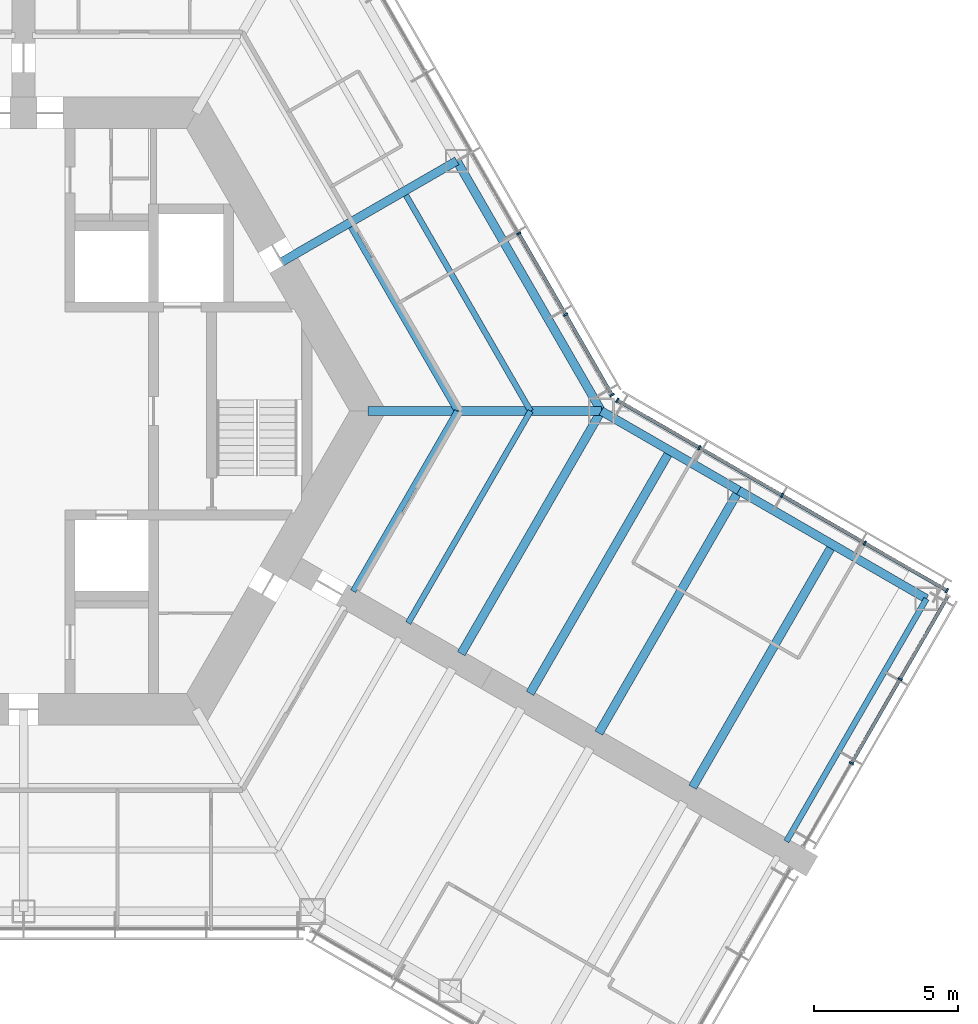
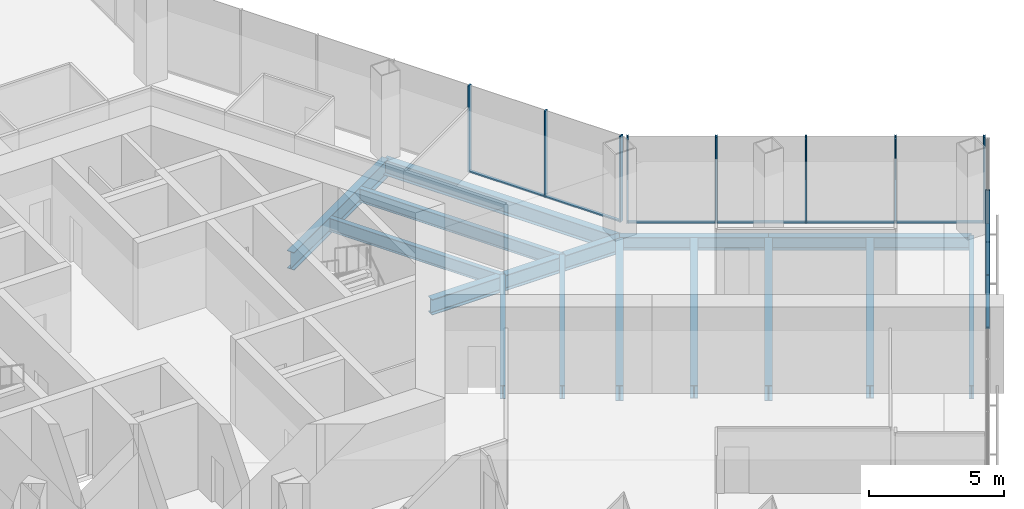
# One storey, part 6 of 18: 18 members, 14 beams, 3 elements without a shape of their own.
"""IFC4 building model written with IfcOpenShell, lengths in metres."""

from ifc_helpers import new_model, si_unit, direction, frame, origin, origin_2d, place, context, subcontext, project, spatial, rectangle, i_section, extrude, material, material_profile, profile_set, type_object, element, aggregate, save


model = new_model("IFC4")

# Units and contexts
model_context = context("Model", 3, precision=1e-05, world=origin(), true_north=direction((0.0, 1.0)))
body_context = subcontext(model_context, "Body", "Model", "MODEL_VIEW")
ifc_project = project(units=[si_unit("LENGTHUNIT", "METRE"), si_unit("AREAUNIT", "SQUARE_METRE"), si_unit("VOLUMEUNIT", "CUBIC_METRE"), si_unit("PLANEANGLEUNIT", "RADIAN"), si_unit("MASSUNIT", "GRAM", prefix="KILO")], contexts=[model_context])

# Site, building, storey
site_placement = place(None, origin())
site = spatial("IfcSite", under=ifc_project, at=site_placement, CompositionType="ELEMENT")
building_placement = place(site_placement, origin())
building = spatial("IfcBuilding", under=site, at=building_placement, Name="Kasaneha Research Tower", CompositionType="ELEMENT")
storey_placement = place(building_placement, frame((0.0, 0.0, 108.0)))
storey = spatial("IfcBuildingStorey", under=building, at=storey_placement, Name="L27", CompositionType="ELEMENT", Elevation=108.0)

# Beams
ifc_material_1 = material(Name="Steel SN490B", Category="steel")
ifc_material_profile_1 = material_profile(ifc_material_1, i_section(OverallWidth=0.199951171875, OverallDepth=0.60009765625, WebThickness=0.010986328125, FlangeThickness=0.01708984375, FilletRadius=0.012939453125, at=origin_2d()), Name="H-600x200x11x17")
ifc_profile_set_1 = profile_set([ifc_material_profile_1], Name="Steel SN490B")
beam_type_1 = type_object("IfcBeamType", Name="B1-3 secondary beam H-600x200x11x17", PredefinedType="JOIST", material=ifc_profile_set_1)
beam_1_placement = place(storey_placement, frame((15.010986328125, 0.0, -0.449951171875), z_axis=(-0.499994443168, 0.866028611999, 0.0), x_axis=(-0.866028611999, -0.499994443168, 0.0)))
element("IfcBeam", 1, at=beam_1_placement, inside=storey, type_object=beam_type_1, Name="Secondary beam RS030L1 L27", PredefinedType="JOIST", context=body_context, shape_type="SweptSolid", body=[
    extrude(i_section(OverallWidth=0.199951171875, OverallDepth=0.60009765625, WebThickness=0.010986328125, FlangeThickness=0.01708984375, FilletRadius=0.012939453125, at=origin_2d()), origin(), (0.0, 0.0, 1.0), 7.35546875),
])
beam_2_placement = place(storey_placement, frame((17.551513671875, 0.0, -0.449951171875), z_axis=(-0.5000050195, 0.866022505755, 0.0), x_axis=(-0.866022505755, -0.5000050195, 0.0)))
element("IfcBeam", 2, at=beam_2_placement, inside=storey, type_object=beam_type_1, Name="Secondary beam RS030L2 L27", PredefinedType="JOIST", context=body_context, shape_type="SweptSolid", body=[
    extrude(i_section(OverallWidth=0.199951171875, OverallDepth=0.60009765625, WebThickness=0.010986328125, FlangeThickness=0.01708984375, FilletRadius=0.012939453125, at=origin_2d()), origin(), (0.0, 0.0, 1.0), 8.6259765625),
])
beam_3_placement = place(storey_placement, frame((15.010986328125, 0.0, -0.449951171875), z_axis=(-0.499972735707, -0.866041144259, 0.0), x_axis=(0.866041144259, -0.499972735707, 0.0)))
element("IfcBeam", 3, at=beam_3_placement, inside=storey, type_object=beam_type_1, Name="Secondary beam RS330R1 L27", PredefinedType="JOIST", context=body_context, shape_type="SweptSolid", body=[
    extrude(i_section(OverallWidth=0.199951171875, OverallDepth=0.60009765625, WebThickness=0.010986328125, FlangeThickness=0.01708984375, FilletRadius=0.012939453125, at=origin_2d()), origin(), (0.0, 0.0, 1.0), 7.20556640625),
])
beam_4_placement = place(storey_placement, frame((17.551513671875, 0.0, -0.449951171875), z_axis=(-0.500020829043, -0.866013377797, 0.0), x_axis=(0.866013377797, -0.500020829043, 0.0)))
element("IfcBeam", 4, at=beam_4_placement, inside=storey, type_object=beam_type_1, Name="Secondary beam RS330R2 L27", PredefinedType="JOIST", context=body_context, shape_type="SweptSolid", body=[
    extrude(i_section(OverallWidth=0.199951171875, OverallDepth=0.60009765625, WebThickness=0.010986328125, FlangeThickness=0.01708984375, FilletRadius=0.012939453125, at=origin_2d()), origin(), (0.0, 0.0, 1.0), 8.475830078125),
])
ifc_material_2 = material(Name="Steel SN490B", Category="steel")
ifc_material_profile_2 = material_profile(ifc_material_2, i_section(OverallWidth=0.300048828125, OverallDepth=0.58203125, WebThickness=0.011962890625, FlangeThickness=0.01708984375, FilletRadius=0.012939453125, at=origin_2d()), Name="H-582x300x12x17")
ifc_profile_set_2 = profile_set([ifc_material_profile_2], Name="Steel SN490B")
beam_type_2 = type_object("IfcBeamType", Name="B2-3 secondary beam H-582x300x12x17", PredefinedType="JOIST", material=ifc_profile_set_2)
for number, where, z_axis, x_axis, name in (
    (5, (22.381591796875, -1.375, -0.44091796875), (-0.500010041276, -0.866019606374, 0.0), (0.866019606374, -0.500010041276, 0.0), "Secondary beam WBCN1 L27"),
    (6, (28.0107421875, -4.625, -0.44091796875), (-0.500010041276, -0.866019606374, 0.0), (0.866019606374, -0.500010041276, 0.0), "Secondary beam WBCN2 L27"),
):
    element("IfcBeam", number, at=place(storey_placement, frame(where, z_axis=z_axis, x_axis=x_axis)), inside=storey, type_object=beam_type_2, Name=name, PredefinedType="JOIST", context=body_context, shape_type="SweptSolid", body=[
        extrude(i_section(OverallWidth=0.300048828125, OverallDepth=0.58203125, WebThickness=0.011962890625, FlangeThickness=0.01708984375, FilletRadius=0.012939453125, at=origin_2d()), origin(), (0.0, 0.0, 1.0), 9.699951171875),
    ])

# Curtain wall, members
ifc_material_3 = material(Name="Glass and aluminium", Category="aluminium")
curtain_wall_type = type_object("IfcCurtainWallType", Name="Low-rise office curtain wall", PredefinedType="USERDEFINED", material=ifc_material_3)
curtain_wall_1_placement = place(storey_placement, origin())
curtain_wall_1 = element("IfcCurtainWall", 7, at=curtain_wall_1_placement, inside=storey, type_object=curtain_wall_type, Name="CW-O1 L27 run 05a", ObjectType="UNITISED CURTAIN WALL", PredefinedType="USERDEFINED")
ifc_material_4 = material(Name="Aluminium 6063-T6", Category="aluminium")
ifc_material_profile_3 = material_profile(ifc_material_4, rectangle(XDim=0.06005859375, YDim=0.159912109375, at=origin_2d()), Name="CW-O1 mullion 60x160")
ifc_profile_set_3 = profile_set([ifc_material_profile_3], Name="Aluminium 6063-T6")
member_type_1 = type_object("IfcMemberType", Name="CW-O1 mullion", PredefinedType="MULLION", material=ifc_profile_set_3)
member_1_placement = place(storey_placement, frame((28.661376953125, -12.1982421875, 0.0), z_axis=(0.0, 0.0, 1.0), x_axis=(0.500000011442, 0.866025397178, 0.0)))
member_1 = element("IfcMember", 8, at=member_1_placement, type_object=member_type_1, Name="CW-O1 mullion 2", PredefinedType="MULLION", context=body_context, shape_type="SweptSolid", body=[
    extrude(rectangle(XDim=0.06005859375, YDim=0.159912109375, at=origin_2d()), origin(), (0.0, 0.0, 1.0), 3.89990234375),
])
member_2_placement = place(storey_placement, frame((30.3447265625, -9.28271484375, 0.0), z_axis=(0.0, 0.0, 1.0), x_axis=(0.500000011442, 0.866025397178, 0.0)))
member_2 = element("IfcMember", 9, at=member_2_placement, type_object=member_type_1, Name="CW-O1 mullion 3", PredefinedType="MULLION", context=body_context, shape_type="SweptSolid", body=[
    extrude(rectangle(XDim=0.06005859375, YDim=0.159912109375, at=origin_2d()), origin(), (0.0, 0.0, 1.0), 3.89990234375),
])

curtain_wall_2_placement = place(storey_placement, origin())
curtain_wall_2 = element("IfcCurtainWall", 10, at=curtain_wall_2_placement, inside=storey, type_object=curtain_wall_type, Name="CW-O1 L27 run 06a", ObjectType="UNITISED CURTAIN WALL", PredefinedType="USERDEFINED")
member_3_placement = place(storey_placement, frame((31.96533203125, -6.21533203125, 0.0), z_axis=(0.0, 0.0, 1.0), x_axis=(-0.866025411464, 0.499999986699, 0.0)))
member_3 = element("IfcMember", 11, at=member_3_placement, type_object=member_type_1, Name="CW-O1 mullion 1", PredefinedType="MULLION", context=body_context, shape_type="SweptSolid", body=[
    extrude(rectangle(XDim=0.06005859375, YDim=0.159912109375, at=origin_2d()), origin(), (0.0, 0.0, 1.0), 3.89990234375),
])
member_4_placement = place(storey_placement, frame((29.125, -4.575439453125, 0.0), z_axis=(0.0, 0.0, 1.0), x_axis=(-0.866025411464, 0.499999986699, 0.0)))
member_4 = element("IfcMember", 12, at=member_4_placement, type_object=member_type_1, Name="CW-O1 mullion 2", PredefinedType="MULLION", context=body_context, shape_type="SweptSolid", body=[
    extrude(rectangle(XDim=0.06005859375, YDim=0.159912109375, at=origin_2d()), origin(), (0.0, 0.0, 1.0), 3.89990234375),
])
member_5_placement = place(storey_placement, frame((26.258544921875, -2.920654296875, 0.0), z_axis=(0.0, 0.0, 1.0), x_axis=(-0.866025411464, 0.499999986699, 0.0)))
member_5 = element("IfcMember", 13, at=member_5_placement, type_object=member_type_1, Name="CW-O1 mullion 3", PredefinedType="MULLION", context=body_context, shape_type="SweptSolid", body=[
    extrude(rectangle(XDim=0.06005859375, YDim=0.159912109375, at=origin_2d()), origin(), (0.0, 0.0, 1.0), 3.89990234375),
])
member_6_placement = place(storey_placement, frame((23.39208984375, -1.265625, 0.0), z_axis=(0.0, 0.0, 1.0), x_axis=(-0.866025411464, 0.499999986699, 0.0)))
member_6 = element("IfcMember", 14, at=member_6_placement, type_object=member_type_1, Name="CW-O1 mullion 4", PredefinedType="MULLION", context=body_context, shape_type="SweptSolid", body=[
    extrude(rectangle(XDim=0.06005859375, YDim=0.159912109375, at=origin_2d()), origin(), (0.0, 0.0, 1.0), 3.89990234375),
])
member_7_placement = place(storey_placement, frame((20.5517578125, 0.374267578125, 0.0), z_axis=(0.0, 0.0, 1.0), x_axis=(-0.866025411464, 0.499999986699, 0.0)))
member_7 = element("IfcMember", 15, at=member_7_placement, type_object=member_type_1, Name="CW-O1 mullion 5", PredefinedType="MULLION", context=body_context, shape_type="SweptSolid", body=[
    extrude(rectangle(XDim=0.06005859375, YDim=0.159912109375, at=origin_2d()), origin(), (0.0, 0.0, 1.0), 3.89990234375),
])

curtain_wall_3_placement = place(storey_placement, origin())
curtain_wall_3 = element("IfcCurtainWall", 16, at=curtain_wall_3_placement, inside=storey, type_object=curtain_wall_type, Name="CW-O1 L27 run 07a", ObjectType="UNITISED CURTAIN WALL", PredefinedType="USERDEFINED")
member_8_placement = place(storey_placement, frame((20.374267578125, 0.5517578125, 0.0), z_axis=(0.0, 0.0, 1.0), x_axis=(-0.49999996188, 0.866025425793, 0.0)))
member_8 = element("IfcMember", 17, at=member_8_placement, type_object=member_type_1, Name="CW-O1 mullion 1", PredefinedType="MULLION", context=body_context, shape_type="SweptSolid", body=[
    extrude(rectangle(XDim=0.06005859375, YDim=0.159912109375, at=origin_2d()), origin(), (0.0, 0.0, 1.0), 3.89990234375),
])
member_9_placement = place(storey_placement, frame((18.76611328125, 3.33740234375, 0.0), z_axis=(0.0, 0.0, 1.0), x_axis=(-0.49999996188, 0.866025425793, 0.0)))
member_9 = element("IfcMember", 18, at=member_9_placement, type_object=member_type_1, Name="CW-O1 mullion 2", PredefinedType="MULLION", context=body_context, shape_type="SweptSolid", body=[
    extrude(rectangle(XDim=0.06005859375, YDim=0.159912109375, at=origin_2d()), origin(), (0.0, 0.0, 1.0), 3.89990234375),
])
member_10_placement = place(storey_placement, frame((17.142822265625, 6.148681640625, 0.0), z_axis=(0.0, 0.0, 1.0), x_axis=(-0.49999996188, 0.866025425793, 0.0)))
member_10 = element("IfcMember", 19, at=member_10_placement, type_object=member_type_1, Name="CW-O1 mullion 3", PredefinedType="MULLION", context=body_context, shape_type="SweptSolid", body=[
    extrude(rectangle(XDim=0.06005859375, YDim=0.159912109375, at=origin_2d()), origin(), (0.0, 0.0, 1.0), 3.89990234375),
])

# Member
ifc_material_5 = material(Name="Aluminium 6063-T6", Category="aluminium")
ifc_material_profile_4 = material_profile(ifc_material_5, rectangle(XDim=0.1201171875, YDim=0.06005859375, at=origin_2d()), Name="CW-O1 transom 120x60")
ifc_profile_set_4 = profile_set([ifc_material_profile_4], Name="Aluminium 6063-T6")
member_type_2 = type_object("IfcMemberType", Name="CW-O1 transom", PredefinedType="USERDEFINED", material=ifc_profile_set_4)
member_11_placement = place(storey_placement, frame((28.67626953125, -12.17236328125, 0.030029296875), z_axis=(0.499982354831, 0.866035590988, 0.0), x_axis=(-0.866035590988, 0.499982354831, 0.0)))
member_11 = element("IfcMember", 20, at=member_11_placement, type_object=member_type_2, Name="CW-O1 transom 2", ObjectType="TRANSOM", PredefinedType="USERDEFINED", context=body_context, shape_type="SweptSolid", body=[
    extrude(rectangle(XDim=0.1201171875, YDim=0.06005859375, at=origin_2d()), origin(), (0.0, 0.0, 1.0), 3.306640625),
])

member_12_placement = place(storey_placement, frame((30.359619140625, -9.256591796875, 0.030029296875), z_axis=(0.500025583411, 0.866010632691, 0.0), x_axis=(-0.866010632691, 0.500025583411, 0.0)))
member_12 = element("IfcMember", 21, at=member_12_placement, type_object=member_type_2, Name="CW-O1 transom 3", ObjectType="TRANSOM", PredefinedType="USERDEFINED", context=body_context, shape_type="SweptSolid", body=[
    extrude(rectangle(XDim=0.1201171875, YDim=0.06005859375, at=origin_2d()), origin(), (0.0, 0.0, 1.0), 3.276611328125),
])

aggregate(curtain_wall_1, [member_1, member_2, member_11, member_12])

member_13_placement = place(storey_placement, frame((31.939453125, -6.200439453125, 0.030029296875), z_axis=(-0.866041647767, 0.499971863542, 0.0), x_axis=(-0.499971863542, -0.866041647767, 0.0)))
member_13 = element("IfcMember", 22, at=member_13_placement, type_object=member_type_2, Name="CW-O1 transom 1", ObjectType="TRANSOM", PredefinedType="USERDEFINED", context=body_context, shape_type="SweptSolid", body=[
    extrude(rectangle(XDim=0.1201171875, YDim=0.06005859375, at=origin_2d()), origin(), (0.0, 0.0, 1.0), 3.219970703125),
])

member_14_placement = place(storey_placement, frame((29.098876953125, -4.560546875, 0.030029296875), z_axis=(-0.86599666273, 0.500049777664, 0.0), x_axis=(-0.500049777664, -0.86599666273, 0.0)))
member_14 = element("IfcMember", 23, at=member_14_placement, type_object=member_type_2, Name="CW-O1 transom 2", ObjectType="TRANSOM", PredefinedType="USERDEFINED", context=body_context, shape_type="SweptSolid", body=[
    extrude(rectangle(XDim=0.1201171875, YDim=0.06005859375, at=origin_2d()), origin(), (0.0, 0.0, 1.0), 3.249755859375),
])

member_15_placement = place(storey_placement, frame((26.232666015625, -2.905517578125, 0.030029296875), z_axis=(-0.86604797581, 0.499960902066, 0.0), x_axis=(-0.499960902066, -0.86604797581, 0.0)))
member_15 = element("IfcMember", 24, at=member_15_placement, type_object=member_type_2, Name="CW-O1 transom 3", ObjectType="TRANSOM", PredefinedType="USERDEFINED", context=body_context, shape_type="SweptSolid", body=[
    extrude(rectangle(XDim=0.1201171875, YDim=0.06005859375, at=origin_2d()), origin(), (0.0, 0.0, 1.0), 3.249755859375),
])

member_16_placement = place(storey_placement, frame((23.3662109375, -1.250732421875, 0.030029296875), z_axis=(-0.866022692473, 0.500004696101, 0.0), x_axis=(-0.500004696101, -0.866022692473, 0.0)))
member_16 = element("IfcMember", 25, at=member_16_placement, type_object=member_type_2, Name="CW-O1 transom 4", ObjectType="TRANSOM", PredefinedType="USERDEFINED", context=body_context, shape_type="SweptSolid", body=[
    extrude(rectangle(XDim=0.1201171875, YDim=0.06005859375, at=origin_2d()), origin(), (0.0, 0.0, 1.0), 3.2197265625),
])

aggregate(curtain_wall_2, [member_3, member_4, member_5, member_6, member_7, member_13, member_14, member_15, member_16])

member_17_placement = place(storey_placement, frame((20.359130859375, 0.577880859375, 0.030029296875), z_axis=(-0.499999210213, 0.866025859768, 0.0), x_axis=(-0.866025859768, -0.499999210213, 0.0)))
member_17 = element("IfcMember", 26, at=member_17_placement, type_object=member_type_2, Name="CW-O1 transom 1", ObjectType="TRANSOM", PredefinedType="USERDEFINED", context=body_context, shape_type="SweptSolid", body=[
    extrude(rectangle(XDim=0.1201171875, YDim=0.06005859375, at=origin_2d()), origin(), (0.0, 0.0, 1.0), 3.15625),
])

member_18_placement = place(storey_placement, frame((18.7509765625, 3.36328125, 0.030029296875), z_axis=(-0.500012062035, 0.866018439653, 0.0), x_axis=(-0.866018439653, -0.500012062035, 0.0)))
member_18 = element("IfcMember", 27, at=member_18_placement, type_object=member_type_2, Name="CW-O1 transom 2", ObjectType="TRANSOM", PredefinedType="USERDEFINED", context=body_context, shape_type="SweptSolid", body=[
    extrude(rectangle(XDim=0.1201171875, YDim=0.06005859375, at=origin_2d()), origin(), (0.0, 0.0, 1.0), 3.1865234375),
])

aggregate(curtain_wall_3, [member_8, member_9, member_10, member_17, member_18])

# Beams
ifc_material_6 = material(Name="Steel SN490B", Category="steel")
ifc_material_profile_5 = material_profile(ifc_material_6, i_section(OverallWidth=0.300048828125, OverallDepth=0.699951171875, WebThickness=0.012939453125, FlangeThickness=0.02392578125, FilletRadius=0.01806640625, at=origin_2d()), Name="H-700x300x13x24")
ifc_profile_set_5 = profile_set([ifc_material_profile_5], Name="Steel SN490B")
beam_type_3 = type_object("IfcBeamType", Name="G1-3 radial girder H-700x300x13x24", PredefinedType="BEAM", material=ifc_profile_set_5)
beam_5_placement = place(storey_placement, frame((11.92236328125, 0.0, -0.5), z_axis=(1.0, 0.0, 0.0), x_axis=(0.0, 1.0, 0.0)))
element("IfcBeam", 28, at=beam_5_placement, inside=storey, type_object=beam_type_3, Name="Radial girder RV000 L27", PredefinedType="BEAM", context=body_context, shape_type="SweptSolid", body=[
    extrude(i_section(OverallWidth=0.300048828125, OverallDepth=0.699951171875, WebThickness=0.012939453125, FlangeThickness=0.02392578125, FilletRadius=0.01806640625, at=origin_2d()), origin(), (0.0, 0.0, 1.0), 8.07763671875),
])
ifc_material_7 = material(Name="Steel SN490B", Category="steel")
ifc_material_profile_6 = material_profile(ifc_material_7, i_section(OverallWidth=0.300048828125, OverallDepth=0.800048828125, WebThickness=0.013916015625, FlangeThickness=0.02587890625, FilletRadius=0.01806640625, at=origin_2d()), Name="H-800x300x14x26")
ifc_profile_set_6 = profile_set([ifc_material_profile_6], Name="Steel SN490B")
beam_type_4 = type_object("IfcBeamType", Name="G2-3 radial girder H-800x300x14x26", PredefinedType="BEAM", material=ifc_profile_set_6)
beam_6_placement = place(storey_placement, frame((8.941650390625, 5.16259765625, -0.550048828125), z_axis=(0.866039713508, 0.499975214012, 0.0), x_axis=(-0.499975214012, 0.866039713508, 0.0)))
element("IfcBeam", 29, at=beam_6_placement, inside=storey, type_object=beam_type_4, Name="Radial girder RM030 L27", PredefinedType="BEAM", context=body_context, shape_type="SweptSolid", body=[
    extrude(i_section(OverallWidth=0.300048828125, OverallDepth=0.800048828125, WebThickness=0.013916015625, FlangeThickness=0.02587890625, FilletRadius=0.01806640625, at=origin_2d()), origin(), (0.0, 0.0, 1.0), 6.995361328125),
])
ifc_material_8 = material(Name="Steel SN490B", Category="steel")
ifc_material_profile_7 = material_profile(ifc_material_8, i_section(OverallWidth=0.300048828125, OverallDepth=0.69189453125, WebThickness=0.012939453125, FlangeThickness=0.02001953125, FilletRadius=0.01806640625, at=origin_2d()), Name="H-692x300x13x20")
ifc_profile_set_7 = profile_set([ifc_material_profile_7], Name="Steel SN490B")
beam_type_5 = type_object("IfcBeamType", Name="G3-3 plate edge girder H-692x300x13x20", PredefinedType="BEAM", material=ifc_profile_set_7)
beam_7_placement = place(storey_placement, frame((20.0, 0.0, -0.49609375), z_axis=(-0.500010041276, -0.866019606374, 0.0), x_axis=(0.866019606374, -0.500010041276, 0.0)))
element("IfcBeam", 30, at=beam_7_placement, inside=storey, type_object=beam_type_5, Name="Plate edge girder PECN L27", PredefinedType="BEAM", context=body_context, shape_type="SweptSolid", body=[
    extrude(i_section(OverallWidth=0.300048828125, OverallDepth=0.69189453125, WebThickness=0.012939453125, FlangeThickness=0.02001953125, FilletRadius=0.01806640625, at=origin_2d()), origin(), (0.0, 0.0, 1.0), 9.699951171875),
])
ifc_material_9 = material(Name="Steel SN490B", Category="steel")
ifc_material_profile_8 = material_profile(ifc_material_9, i_section(OverallWidth=0.300048828125, OverallDepth=0.699951171875, WebThickness=0.012939453125, FlangeThickness=0.02392578125, FilletRadius=0.01806640625, at=origin_2d()), Name="H-700x300x13x24")
ifc_profile_set_8 = profile_set([ifc_material_profile_8], Name="Steel SN490B")
beam_type_6 = type_object("IfcBeamType", Name="G4-3 wing girder H-700x300x13x24", PredefinedType="BEAM", material=ifc_profile_set_8)
beam_8_placement = place(storey_placement, frame((24.76318359375, -2.75, -0.5), z_axis=(-0.500010041276, -0.866019606374, 0.0), x_axis=(0.866019606374, -0.500010041276, 0.0)))
element("IfcBeam", 31, at=beam_8_placement, inside=storey, type_object=beam_type_6, Name="Wing girder WGCN L27", PredefinedType="BEAM", context=body_context, shape_type="SweptSolid", body=[
    extrude(i_section(OverallWidth=0.300048828125, OverallDepth=0.699951171875, WebThickness=0.012939453125, FlangeThickness=0.02392578125, FilletRadius=0.01806640625, at=origin_2d()), origin(), (0.0, 0.0, 1.0), 9.699951171875),
])
ifc_material_10 = material(Name="Steel SN490B", Category="steel")
ifc_material_profile_9 = material_profile(ifc_material_10, i_section(OverallWidth=0.300048828125, OverallDepth=0.69189453125, WebThickness=0.012939453125, FlangeThickness=0.02001953125, FilletRadius=0.01806640625, at=origin_2d()), Name="H-692x300x13x20")
ifc_profile_set_9 = profile_set([ifc_material_profile_9], Name="Steel SN490B")
beam_type_7 = type_object("IfcBeamType", Name="SB1-3 spandrel beam H-692x300x13x20", PredefinedType="SPANDREL", material=ifc_profile_set_9)
beam_9_placement = place(storey_placement, frame((20.0, 0.0, -0.49609375), z_axis=(-0.500004234368, 0.866022959057, 0.0), x_axis=(-0.866022959057, -0.500004234368, 0.0)))
element("IfcBeam", 32, at=beam_9_placement, inside=storey, type_object=beam_type_7, Name="Spandrel beam SR030L L27", PredefinedType="SPANDREL", context=body_context, shape_type="SweptSolid", body=[
    extrude(i_section(OverallWidth=0.300048828125, OverallDepth=0.69189453125, WebThickness=0.012939453125, FlangeThickness=0.02001953125, FilletRadius=0.01806640625, at=origin_2d()), origin(), (0.0, 0.0, 1.0), 10.0),
])
ifc_material_11 = material(Name="Steel SN490B", Category="steel")
ifc_material_profile_10 = material_profile(ifc_material_11, i_section(OverallWidth=0.300048828125, OverallDepth=0.58203125, WebThickness=0.011962890625, FlangeThickness=0.01708984375, FilletRadius=0.012939453125, at=origin_2d()), Name="H-582x300x12x17")
ifc_profile_set_10 = profile_set([ifc_material_profile_10], Name="Steel SN490B")
beam_type_8 = type_object("IfcBeamType", Name="SB2-3 spandrel beam H-582x300x12x17", PredefinedType="SPANDREL", material=ifc_profile_set_10)
beam_10_placement = place(storey_placement, frame((20.0, 0.0, -0.44091796875), z_axis=(0.866027397988, -0.499996545922, 0.0), x_axis=(0.499996545922, 0.866027397988, 0.0)))
element("IfcBeam", 33, at=beam_10_placement, inside=storey, type_object=beam_type_8, Name="Spandrel beam WSCN1 L27", PredefinedType="SPANDREL", context=body_context, shape_type="SweptSolid", body=[
    extrude(i_section(OverallWidth=0.300048828125, OverallDepth=0.58203125, WebThickness=0.011962890625, FlangeThickness=0.01708984375, FilletRadius=0.012939453125, at=origin_2d()), origin(), (0.0, 0.0, 1.0), 5.5),
])
beam_11_placement = place(storey_placement, frame((24.76318359375, -2.75, -0.44091796875), z_axis=(0.866022959057, -0.500004234368, 0.0), x_axis=(0.500004234368, 0.866022959057, 0.0)))
element("IfcBeam", 34, at=beam_11_placement, inside=storey, type_object=beam_type_8, Name="Spandrel beam WSCN2 L27", PredefinedType="SPANDREL", context=body_context, shape_type="SweptSolid", body=[
    extrude(i_section(OverallWidth=0.300048828125, OverallDepth=0.58203125, WebThickness=0.011962890625, FlangeThickness=0.01708984375, FilletRadius=0.012939453125, at=origin_2d()), origin(), (0.0, 0.0, 1.0), 7.5),
])
ifc_material_12 = material(Name="Steel SN490B", Category="steel")
ifc_material_profile_11 = material_profile(ifc_material_12, i_section(OverallWidth=0.199951171875, OverallDepth=0.60009765625, WebThickness=0.010986328125, FlangeThickness=0.01708984375, FilletRadius=0.012939453125, at=origin_2d()), Name="H-600x200x11x17")
ifc_profile_set_11 = profile_set([ifc_material_profile_11], Name="Steel SN490B")
beam_type_9 = type_object("IfcBeamType", Name="SB3-3 spandrel beam H-600x200x11x17", PredefinedType="SPANDREL", material=ifc_profile_set_11)
beam_12_placement = place(storey_placement, frame((31.25830078125, -6.5, -0.449951171875), z_axis=(-0.499991164321, -0.866030505006, 0.0), x_axis=(0.866030505006, -0.499991164321, 0.0)))
element("IfcBeam", 35, at=beam_12_placement, inside=storey, type_object=beam_type_9, Name="Spandrel beam WTCN L27", PredefinedType="SPANDREL", context=body_context, shape_type="SweptSolid", body=[
    extrude(i_section(OverallWidth=0.199951171875, OverallDepth=0.60009765625, WebThickness=0.010986328125, FlangeThickness=0.01708984375, FilletRadius=0.012939453125, at=origin_2d()), origin(), (0.0, 0.0, 1.0), 9.699951171875),
])

save(model, "model.ifc")
